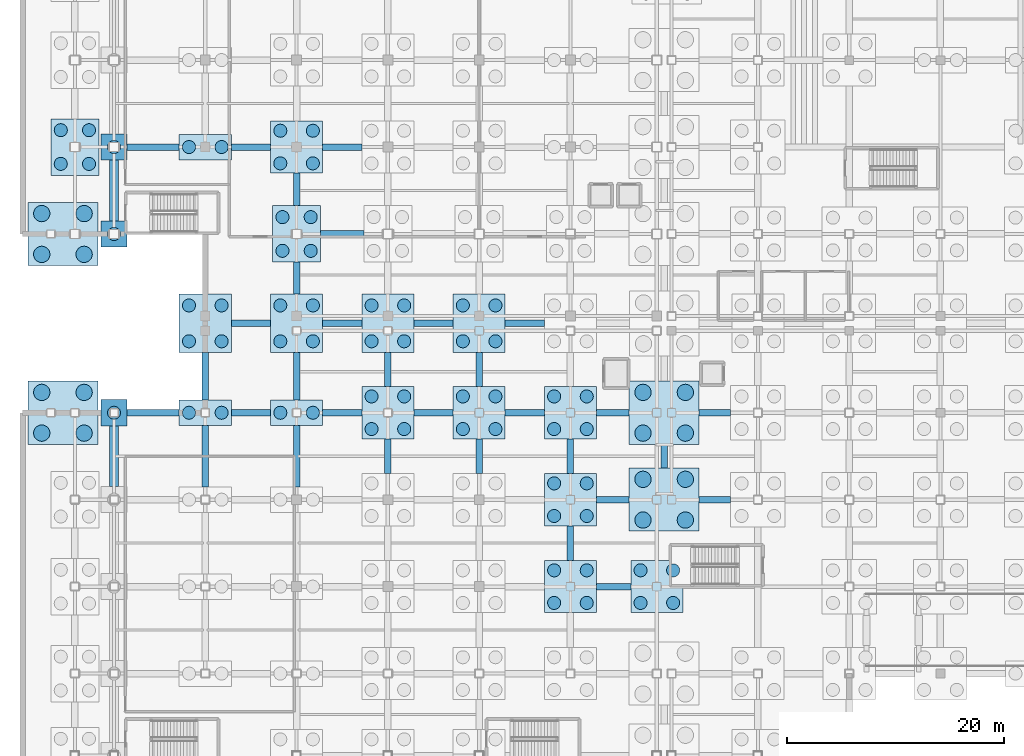
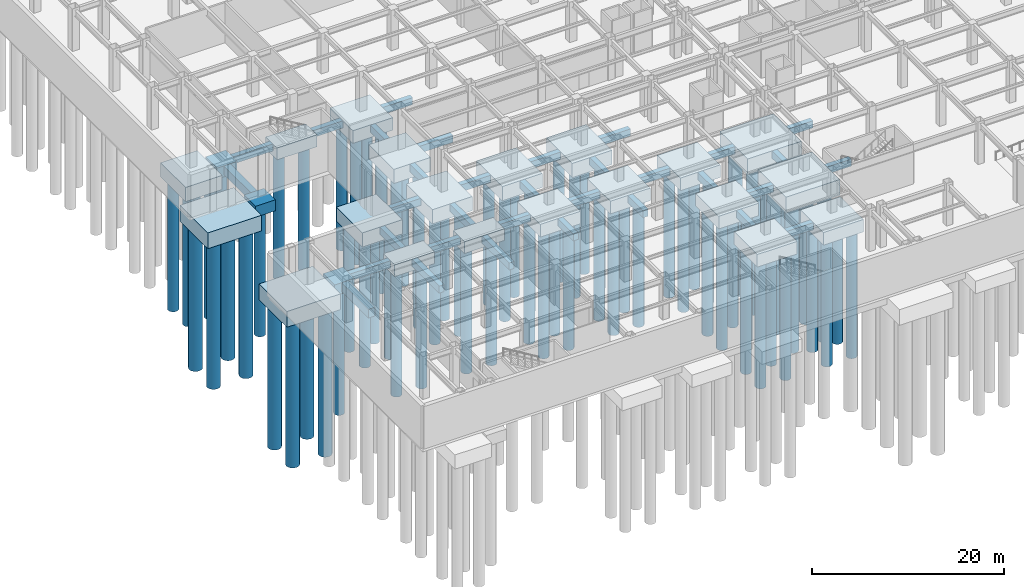
# One storey, part 2 of 55: 77 piles, 56 footings.
"""IFC4 building model written with IfcOpenShell, lengths in metres."""

from ifc_helpers import new_model, si_unit, direction, frame, origin, origin_2d, place, context, subcontext, project, spatial, rectangle, circle, extrude, material, layer, layer_set, material_profile, profile_set, type_object, element, save


model = new_model("IFC4")

# Units and contexts
model_context = context("Model", 3, precision=1e-05, world=origin(), true_north=direction((0.0, 1.0)))
body_context = subcontext(model_context, "Body", "Model", "MODEL_VIEW")
ifc_project = project(units=[si_unit("LENGTHUNIT", "METRE"), si_unit("AREAUNIT", "SQUARE_METRE"), si_unit("VOLUMEUNIT", "CUBIC_METRE"), si_unit("PLANEANGLEUNIT", "RADIAN"), si_unit("MASSUNIT", "GRAM", prefix="KILO")], contexts=[model_context])

# Site, building, storey
site_placement = place(None, origin())
site = spatial("IfcSite", under=ifc_project, at=site_placement, CompositionType="ELEMENT")
building_placement = place(site_placement, origin())
building = spatial("IfcBuilding", under=site, at=building_placement, Name="Kazehara Bluff Congress Hotel", CompositionType="ELEMENT")
storey_placement = place(building_placement, frame((0.0, 0.0, -5.39990234375)))
storey = spatial("IfcBuildingStorey", under=building, at=storey_placement, Name="B1", CompositionType="ELEMENT", Elevation=-5.39990234375)

# Footings
ifc_material_1 = material(Name="Concrete C36/45", Category="concrete")
ifc_material_profile_1 = material_profile(ifc_material_1, rectangle(XDim=0.60009765625, YDim=0.89990234375, at=origin_2d()))
ifc_profile_set_1 = profile_set([ifc_material_profile_1], Name="Concrete C36/45")
footing_type_1 = type_object("IfcFootingType", Name="TP-FB-01", PredefinedType="FOOTING_BEAM", material=ifc_profile_set_1)
footing_1_placement = place(storey_placement, frame((52.800048828125, 16.0, -0.9501953125), z_axis=(1.0, 0.0, 0.0), x_axis=(0.0, 1.0, 0.0)))
element("IfcFooting", 1, at=footing_1_placement, inside=storey, type_object=footing_type_1, Name="Foundation tie beam FB-01 33", PredefinedType="FOOTING_BEAM", context=body_context, shape_type="SweptSolid", body=[
    extrude(rectangle(XDim=0.60009765625, YDim=0.89990234375, at=origin_2d()), origin(), (0.0, 0.0, 1.0), 3.14990234375),
])
footing_2_placement = place(storey_placement, frame((52.800048828125, 24.0, -0.9501953125), z_axis=(1.0, 0.0, 0.0), x_axis=(0.0, 1.0, 0.0)))
element("IfcFooting", 2, at=footing_2_placement, inside=storey, type_object=footing_type_1, Name="Foundation tie beam FB-01 50", PredefinedType="FOOTING_BEAM", context=body_context, shape_type="SweptSolid", body=[
    extrude(rectangle(XDim=0.60009765625, YDim=0.89990234375, at=origin_2d()), origin(), (0.0, 0.0, 1.0), 3.0),
])
footing_3_placement = place(storey_placement, frame((62.25, 24.0, -0.9501953125), z_axis=(1.0, 0.0, 0.0), x_axis=(0.0, 1.0, 0.0)))
element("IfcFooting", 3, at=footing_3_placement, inside=storey, type_object=footing_type_1, Name="Foundation tie beam FB-01 51", PredefinedType="FOOTING_BEAM", context=body_context, shape_type="SweptSolid", body=[
    extrude(rectangle(XDim=0.60009765625, YDim=0.89990234375, at=origin_2d()), origin(), (0.0, 0.0, 1.0), 2.89990234375),
])
footing_4_placement = place(storey_placement, frame((9.60009765625, 32.0, -0.9501953125), z_axis=(1.0, 0.0, 0.0), x_axis=(0.0, 1.0, 0.0)))
element("IfcFooting", 4, at=footing_4_placement, inside=storey, type_object=footing_type_1, Name="Foundation tie beam FB-01 64", PredefinedType="FOOTING_BEAM", context=body_context, shape_type="SweptSolid", body=[
    extrude(rectangle(XDim=0.60009765625, YDim=0.89990234375, at=origin_2d()), origin(), (0.0, 0.0, 1.0), 4.7998046875),
])
footing_5_placement = place(storey_placement, frame((19.199951171875, 32.0, -0.9501953125), z_axis=(1.0, 0.0, 0.0), x_axis=(0.0, 1.0, 0.0)))
element("IfcFooting", 5, at=footing_5_placement, inside=storey, type_object=footing_type_1, Name="Foundation tie beam FB-01 65", PredefinedType="FOOTING_BEAM", context=body_context, shape_type="SweptSolid", body=[
    extrude(rectangle(XDim=0.60009765625, YDim=0.89990234375, at=origin_2d()), origin(), (0.0, 0.0, 1.0), 3.60009765625),
])
footing_6_placement = place(storey_placement, frame((27.60009765625, 32.0, -0.9501953125), z_axis=(1.0, 0.0, 0.0), x_axis=(0.0, 1.0, 0.0)))
element("IfcFooting", 6, at=footing_6_placement, inside=storey, type_object=footing_type_1, Name="Foundation tie beam FB-01 66", PredefinedType="FOOTING_BEAM", context=body_context, shape_type="SweptSolid", body=[
    extrude(rectangle(XDim=0.60009765625, YDim=0.89990234375, at=origin_2d()), origin(), (0.0, 0.0, 1.0), 3.599853515625),
])
for number, where, z_axis, x_axis, name in (
    (7, (36.0, 32.0, -0.9501953125), (1.0, 0.0, 0.0), (0.0, 1.0, 0.0), "Foundation tie beam FB-01 67"),
    (8, (44.39990234375, 32.0, -0.9501953125), (1.0, 0.0, 0.0), (0.0, 1.0, 0.0), "Foundation tie beam FB-01 68"),
):
    element("IfcFooting", number, at=place(storey_placement, frame(where, z_axis=z_axis, x_axis=x_axis)), inside=storey, type_object=footing_type_1, Name=name, PredefinedType="FOOTING_BEAM", context=body_context, shape_type="SweptSolid", body=[
        extrude(rectangle(XDim=0.60009765625, YDim=0.89990234375, at=origin_2d()), origin(), (0.0, 0.0, 1.0), 3.60009765625),
    ])
footing_7_placement = place(storey_placement, frame((52.800048828125, 32.0, -0.9501953125), z_axis=(1.0, 0.0, 0.0), x_axis=(0.0, 1.0, 0.0)))
element("IfcFooting", 9, at=footing_7_placement, inside=storey, type_object=footing_type_1, Name="Foundation tie beam FB-01 69", PredefinedType="FOOTING_BEAM", context=body_context, shape_type="SweptSolid", body=[
    extrude(rectangle(XDim=0.60009765625, YDim=0.89990234375, at=origin_2d()), origin(), (0.0, 0.0, 1.0), 3.0),
])
footing_8_placement = place(storey_placement, frame((62.25, 32.0, -0.9501953125), z_axis=(1.0, 0.0, 0.0), x_axis=(0.0, 1.0, 0.0)))
element("IfcFooting", 10, at=footing_8_placement, inside=storey, type_object=footing_type_1, Name="Foundation tie beam FB-01 70", PredefinedType="FOOTING_BEAM", context=body_context, shape_type="SweptSolid", body=[
    extrude(rectangle(XDim=0.60009765625, YDim=0.89990234375, at=origin_2d()), origin(), (0.0, 0.0, 1.0), 2.89990234375),
])
footing_9_placement = place(storey_placement, frame((19.199951171875, 40.22509765625, -0.9501953125), z_axis=(1.0, 0.0, 0.0), x_axis=(0.0, 1.0, 0.0)))
element("IfcFooting", 11, at=footing_9_placement, inside=storey, type_object=footing_type_1, Name="Foundation tie beam FB-01 83", PredefinedType="FOOTING_BEAM", context=body_context, shape_type="SweptSolid", body=[
    extrude(rectangle(XDim=0.60009765625, YDim=0.89990234375, at=origin_2d()), origin(), (0.0, 0.0, 1.0), 3.60009765625),
])
footing_10_placement = place(storey_placement, frame((27.60009765625, 40.22509765625, -0.9501953125), z_axis=(1.0, 0.0, 0.0), x_axis=(0.0, 1.0, 0.0)))
element("IfcFooting", 12, at=footing_10_placement, inside=storey, type_object=footing_type_1, Name="Foundation tie beam FB-01 84", PredefinedType="FOOTING_BEAM", context=body_context, shape_type="SweptSolid", body=[
    extrude(rectangle(XDim=0.60009765625, YDim=0.89990234375, at=origin_2d()), origin(), (0.0, 0.0, 1.0), 3.599853515625),
])
for number, where, z_axis, x_axis, name in (
    (13, (36.0, 40.22509765625, -0.9501953125), (1.0, 0.0, 0.0), (0.0, 1.0, 0.0), "Foundation tie beam FB-01 85"),
    (14, (44.39990234375, 40.22509765625, -0.9501953125), (1.0, 0.0, 0.0), (0.0, 1.0, 0.0), "Foundation tie beam FB-01 86"),
):
    element("IfcFooting", number, at=place(storey_placement, frame(where, z_axis=z_axis, x_axis=x_axis)), inside=storey, type_object=footing_type_1, Name=name, PredefinedType="FOOTING_BEAM", context=body_context, shape_type="SweptSolid", body=[
        extrude(rectangle(XDim=0.60009765625, YDim=0.89990234375, at=origin_2d()), origin(), (0.0, 0.0, 1.0), 3.60009765625),
    ])
footing_11_placement = place(storey_placement, frame((27.39990234375, 48.449951171875, -0.9501953125), z_axis=(1.0, 0.0, 0.0), x_axis=(0.0, 1.0, 0.0)))
element("IfcFooting", 15, at=footing_11_placement, inside=storey, type_object=footing_type_1, Name="Foundation tie beam FB-01 101", PredefinedType="FOOTING_BEAM", context=body_context, shape_type="SweptSolid", body=[
    extrude(rectangle(XDim=0.60009765625, YDim=0.89990234375, at=origin_2d()), origin(), (0.0, 0.0, 1.0), 4.0),
])
footing_12_placement = place(storey_placement, frame((9.60009765625, 56.449951171875, -0.9501953125), z_axis=(1.0, 0.0, 0.0), x_axis=(0.0, 1.0, 0.0)))
element("IfcFooting", 16, at=footing_12_placement, inside=storey, type_object=footing_type_1, Name="Foundation tie beam FB-01 115", PredefinedType="FOOTING_BEAM", context=body_context, shape_type="SweptSolid", body=[
    extrude(rectangle(XDim=0.60009765625, YDim=0.89990234375, at=origin_2d()), origin(), (0.0, 0.0, 1.0), 4.7998046875),
])
footing_13_placement = place(storey_placement, frame((19.199951171875, 56.449951171875, -0.9501953125), z_axis=(1.0, 0.0, 0.0), x_axis=(0.0, 1.0, 0.0)))
element("IfcFooting", 17, at=footing_13_placement, inside=storey, type_object=footing_type_1, Name="Foundation tie beam FB-01 116", PredefinedType="FOOTING_BEAM", context=body_context, shape_type="SweptSolid", body=[
    extrude(rectangle(XDim=0.60009765625, YDim=0.89990234375, at=origin_2d()), origin(), (0.0, 0.0, 1.0), 3.60009765625),
])
footing_14_placement = place(storey_placement, frame((27.60009765625, 56.449951171875, -0.9501953125), z_axis=(1.0, 0.0, 0.0), x_axis=(0.0, 1.0, 0.0)))
element("IfcFooting", 18, at=footing_14_placement, inside=storey, type_object=footing_type_1, Name="Foundation tie beam FB-01 117", PredefinedType="FOOTING_BEAM", context=body_context, shape_type="SweptSolid", body=[
    extrude(rectangle(XDim=0.60009765625, YDim=0.89990234375, at=origin_2d()), origin(), (0.0, 0.0, 1.0), 3.599853515625),
])
footing_15_placement = place(storey_placement, frame((16.800048828125, 25.175048828125, -0.9501953125), z_axis=(0.0, 1.0, 0.0), x_axis=(-1.0, 0.0, 0.0)))
element("IfcFooting", 19, at=footing_15_placement, inside=storey, type_object=footing_type_1, Name="Foundation tie beam FB-01 274", PredefinedType="FOOTING_BEAM", context=body_context, shape_type="SweptSolid", body=[
    extrude(rectangle(XDim=0.60009765625, YDim=0.89990234375, at=origin_2d()), origin(), (0.0, 0.0, 1.0), 5.64990234375),
])
footing_16_placement = place(storey_placement, frame((16.800048828125, 33.175048828125, -0.9501953125), z_axis=(0.0, 1.0, 0.0), x_axis=(-1.0, 0.0, 0.0)))
element("IfcFooting", 20, at=footing_16_placement, inside=storey, type_object=footing_type_1, Name="Foundation tie beam FB-01 275", PredefinedType="FOOTING_BEAM", context=body_context, shape_type="SweptSolid", body=[
    extrude(rectangle(XDim=0.60009765625, YDim=0.89990234375, at=origin_2d()), origin(), (0.0, 0.0, 1.0), 4.349853515625),
])
footing_17_placement = place(storey_placement, frame((25.199951171875, 25.175048828125, -0.9501953125), z_axis=(0.0, 1.0, 0.0), x_axis=(-1.0, 0.0, 0.0)))
element("IfcFooting", 21, at=footing_17_placement, inside=storey, type_object=footing_type_1, Name="Foundation tie beam FB-01 283", PredefinedType="FOOTING_BEAM", context=body_context, shape_type="SweptSolid", body=[
    extrude(rectangle(XDim=0.60009765625, YDim=0.89990234375, at=origin_2d()), origin(), (0.0, 0.0, 1.0), 5.64990234375),
])
footing_18_placement = place(storey_placement, frame((25.199951171875, 33.175048828125, -0.9501953125), z_axis=(0.0, 1.0, 0.0), x_axis=(-1.0, 0.0, 0.0)))
element("IfcFooting", 22, at=footing_18_placement, inside=storey, type_object=footing_type_1, Name="Foundation tie beam FB-01 284", PredefinedType="FOOTING_BEAM", context=body_context, shape_type="SweptSolid", body=[
    extrude(rectangle(XDim=0.60009765625, YDim=0.89990234375, at=origin_2d()), origin(), (0.0, 0.0, 1.0), 4.349853515625),
])
footing_19_placement = place(storey_placement, frame((25.199951171875, 42.925048828125, -0.9501953125), z_axis=(0.0, 1.0, 0.0), x_axis=(-1.0, 0.0, 0.0)))
element("IfcFooting", 23, at=footing_19_placement, inside=storey, type_object=footing_type_1, Name="Foundation tie beam FB-01 285", PredefinedType="FOOTING_BEAM", context=body_context, shape_type="SweptSolid", body=[
    extrude(rectangle(XDim=0.60009765625, YDim=0.89990234375, at=origin_2d()), origin(), (0.0, 0.0, 1.0), 2.925048828125),
])
footing_20_placement = place(storey_placement, frame((25.199951171875, 51.050048828125, -0.9501953125), z_axis=(0.0, 1.0, 0.0), x_axis=(-1.0, 0.0, 0.0)))
element("IfcFooting", 24, at=footing_20_placement, inside=storey, type_object=footing_type_1, Name="Foundation tie beam FB-01 286", PredefinedType="FOOTING_BEAM", context=body_context, shape_type="SweptSolid", body=[
    extrude(rectangle(XDim=0.60009765625, YDim=0.89990234375, at=origin_2d()), origin(), (0.0, 0.0, 1.0), 3.0),
])
footing_21_placement = place(storey_placement, frame((33.60009765625, 26.39990234375, -0.9501953125), z_axis=(0.0, 1.0, 0.0), x_axis=(-1.0, 0.0, 0.0)))
element("IfcFooting", 25, at=footing_21_placement, inside=storey, type_object=footing_type_1, Name="Foundation tie beam FB-01 297", PredefinedType="FOOTING_BEAM", context=body_context, shape_type="SweptSolid", body=[
    extrude(rectangle(XDim=0.60009765625, YDim=0.89990234375, at=origin_2d()), origin(), (0.0, 0.0, 1.0), 3.2001953125),
])
footing_22_placement = place(storey_placement, frame((33.60009765625, 34.39990234375, -0.9501953125), z_axis=(0.0, 1.0, 0.0), x_axis=(-1.0, 0.0, 0.0)))
element("IfcFooting", 26, at=footing_22_placement, inside=storey, type_object=footing_type_1, Name="Foundation tie beam FB-01 298", PredefinedType="FOOTING_BEAM", context=body_context, shape_type="SweptSolid", body=[
    extrude(rectangle(XDim=0.60009765625, YDim=0.89990234375, at=origin_2d()), origin(), (0.0, 0.0, 1.0), 3.125),
])
footing_23_placement = place(storey_placement, frame((42.0, 26.39990234375, -0.9501953125), z_axis=(0.0, 1.0, 0.0), x_axis=(-1.0, 0.0, 0.0)))
element("IfcFooting", 27, at=footing_23_placement, inside=storey, type_object=footing_type_1, Name="Foundation tie beam FB-01 310", PredefinedType="FOOTING_BEAM", context=body_context, shape_type="SweptSolid", body=[
    extrude(rectangle(XDim=0.60009765625, YDim=0.89990234375, at=origin_2d()), origin(), (0.0, 0.0, 1.0), 3.2001953125),
])
footing_24_placement = place(storey_placement, frame((42.0, 34.39990234375, -0.9501953125), z_axis=(0.0, 1.0, 0.0), x_axis=(-1.0, 0.0, 0.0)))
element("IfcFooting", 28, at=footing_24_placement, inside=storey, type_object=footing_type_1, Name="Foundation tie beam FB-01 311", PredefinedType="FOOTING_BEAM", context=body_context, shape_type="SweptSolid", body=[
    extrude(rectangle(XDim=0.60009765625, YDim=0.89990234375, at=origin_2d()), origin(), (0.0, 0.0, 1.0), 3.125),
])
for number, where, z_axis, x_axis, name in (
    (29, (50.39990234375, 18.39990234375, -0.9501953125), (0.0, 1.0, 0.0), (-1.0, 0.0, 0.0), "Foundation tie beam FB-01 320"),
    (30, (50.39990234375, 26.39990234375, -0.9501953125), (0.0, 1.0, 0.0), (-1.0, 0.0, 0.0), "Foundation tie beam FB-01 321"),
):
    element("IfcFooting", number, at=place(storey_placement, frame(where, z_axis=z_axis, x_axis=x_axis)), inside=storey, type_object=footing_type_1, Name=name, PredefinedType="FOOTING_BEAM", context=body_context, shape_type="SweptSolid", body=[
        extrude(rectangle(XDim=0.60009765625, YDim=0.89990234375, at=origin_2d()), origin(), (0.0, 0.0, 1.0), 3.2001953125),
    ])
footing_25_placement = place(storey_placement, frame((59.02490234375, 26.89990234375, -0.9501953125), z_axis=(0.0, 1.0, 0.0), x_axis=(-1.0, 0.0, 0.0)))
element("IfcFooting", 31, at=footing_25_placement, inside=storey, type_object=footing_type_1, Name="Foundation tie beam FB-01 330", PredefinedType="FOOTING_BEAM", context=body_context, shape_type="SweptSolid", body=[
    extrude(rectangle(XDim=0.60009765625, YDim=0.89990234375, at=origin_2d()), origin(), (0.0, 0.0, 1.0), 2.2001953125),
])
ifc_material_2 = material(Name="Concrete C36/45", Category="concrete")
ifc_material_profile_2 = material_profile(ifc_material_2, rectangle(XDim=0.800048828125, YDim=1.10009765625, at=origin_2d()))
ifc_profile_set_2 = profile_set([ifc_material_profile_2], Name="Concrete C36/45")
footing_type_2 = type_object("IfcFootingType", Name="TP-FB-03", PredefinedType="FOOTING_BEAM", material=ifc_profile_set_2)
for number, where, z_axis, x_axis, name in (
    (32, (8.39990234375, 25.199951171875, -1.050048828125), (0.0, 1.0, 0.0), (-1.0, 0.0, 0.0), "Foundation tie beam FB-03 262"),
    (33, (8.39990234375, 49.64990234375, -1.050048828125), (0.0, 1.0, 0.0), (-1.0, 0.0, 0.0), "Foundation tie beam FB-03 263"),
):
    element("IfcFooting", number, at=place(storey_placement, frame(where, z_axis=z_axis, x_axis=x_axis)), inside=storey, type_object=footing_type_2, Name=name, PredefinedType="FOOTING_BEAM", context=body_context, shape_type="SweptSolid", body=[
        extrude(rectangle(XDim=0.800048828125, YDim=1.10009765625, at=origin_2d()), origin(), (0.0, 0.0, 1.0), 5.60009765625),
    ])
ifc_material_3 = material(Name="Concrete C36/45", Category="concrete")
ifc_layer_1 = layer(ifc_material_3, 1.39990234375)
ifc_layer_set_1 = layer_set([ifc_layer_1], Name="Concrete C36/45")
footing_type_3 = type_object("IfcFootingType", Name="TP-PC-01", PredefinedType="PILE_CAP", material=ifc_layer_set_1)
for number, where, z_axis, x_axis, name in (
    (34, (8.39990234375, 32.0, -1.900146484375), (0.0, 0.0, 1.0), (1.0, 0.0, 0.0), "Pile cap PC-01 20"),
    (35, (8.39990234375, 48.449951171875, -1.900146484375), (0.0, 0.0, 1.0), (1.0, 0.0, 0.0), "Pile cap PC-01 21"),
    (36, (8.39990234375, 56.449951171875, -1.900146484375), (0.0, 0.0, 1.0), (1.0, 0.0, 0.0), "Pile cap PC-01 22"),
):
    element("IfcFooting", number, at=place(storey_placement, frame(where, z_axis=z_axis, x_axis=x_axis)), inside=storey, type_object=footing_type_3, Name=name, PredefinedType="PILE_CAP", context=body_context, shape_type="SweptSolid", body=[
        extrude(rectangle(XDim=2.39990234375, YDim=2.39990234375, at=origin_2d()), origin(), (0.0, 0.0, 1.0), 1.39990234375),
    ])
ifc_material_4 = material(Name="Concrete C36/45", Category="concrete")
ifc_layer_2 = layer(ifc_material_4, 1.5)
ifc_layer_set_2 = layer_set([ifc_layer_2], Name="Concrete C36/45")
footing_type_4 = type_object("IfcFootingType", Name="TP-PC-02", PredefinedType="PILE_CAP", material=ifc_layer_set_2)
for number, where, z_axis, x_axis, name in (
    (37, (16.800048828125, 32.0, -2.0), (0.0, 0.0, 1.0), (1.0, 0.0, 0.0), "Pile cap PC-02 34"),
    (38, (16.800048828125, 56.449951171875, -2.0), (0.0, 0.0, 1.0), (1.0, 0.0, 0.0), "Pile cap PC-02 36"),
    (39, (25.199951171875, 32.0, -2.0), (0.0, 0.0, 1.0), (1.0, 0.0, 0.0), "Pile cap PC-02 46"),
):
    element("IfcFooting", number, at=place(storey_placement, frame(where, z_axis=z_axis, x_axis=x_axis)), inside=storey, type_object=footing_type_4, Name=name, PredefinedType="PILE_CAP", context=body_context, shape_type="SweptSolid", body=[
        extrude(rectangle(XDim=4.800048828125, YDim=2.35009765625, at=origin_2d()), origin(), (0.0, 0.0, 1.0), 1.5),
    ])
ifc_material_5 = material(Name="Concrete C36/45", Category="concrete")
ifc_layer_3 = layer(ifc_material_5, 1.60009765625)
ifc_layer_set_3 = layer_set([ifc_layer_3], Name="Concrete C36/45")
footing_type_5 = type_object("IfcFootingType", Name="TP-PC-04", PredefinedType="PILE_CAP", material=ifc_layer_set_3)
for number, where, z_axis, x_axis, name in (
    (40, (25.199951171875, 56.449951171875, -2.10009765625), (0.0, 0.0, 1.0), (1.0, 0.0, 0.0), "Pile cap PC-04 49"),
    (41, (33.60009765625, 32.0, -2.10009765625), (0.0, 0.0, 1.0), (1.0, 0.0, 0.0), "Pile cap PC-04 61"),
    (42, (42.0, 32.0, -2.10009765625), (0.0, 0.0, 1.0), (1.0, 0.0, 0.0), "Pile cap PC-04 76"),
    (43, (50.39990234375, 16.0, -2.10009765625), (0.0, 0.0, 1.0), (1.0, 0.0, 0.0), "Pile cap PC-04 88"),
    (44, (50.39990234375, 24.0, -2.10009765625), (0.0, 0.0, 1.0), (1.0, 0.0, 0.0), "Pile cap PC-04 89"),
    (45, (50.39990234375, 32.0, -2.10009765625), (0.0, 0.0, 1.0), (1.0, 0.0, 0.0), "Pile cap PC-04 90"),
    (46, (58.35009765625, 16.0, -2.10009765625), (0.0, 0.0, 1.0), (1.0, 0.0, 0.0), "Pile cap PC-04 101"),
):
    element("IfcFooting", number, at=place(storey_placement, frame(where, z_axis=z_axis, x_axis=x_axis)), inside=storey, type_object=footing_type_5, Name=name, PredefinedType="PILE_CAP", context=body_context, shape_type="SweptSolid", body=[
        extrude(rectangle(XDim=4.800048828125, YDim=4.800048828125, at=origin_2d()), origin(), (0.0, 0.0, 1.0), 1.60009765625),
    ])
ifc_material_6 = material(Name="Concrete C36/45", Category="concrete")
ifc_layer_4 = layer(ifc_material_6, 1.800048828125)
ifc_layer_set_4 = layer_set([ifc_layer_4], Name="Concrete C36/45")
footing_type_6 = type_object("IfcFootingType", Name="TP-PC-06", PredefinedType="PILE_CAP", material=ifc_layer_set_4)
for number, where, z_axis, x_axis, name in (
    (47, (4.800048828125, 56.449951171875, -2.30029296875), (0.0, 0.0, 1.0), (1.0, 0.0, 0.0), "Pile cap PC-06 7"),
    (48, (25.199951171875, 48.449951171875, -2.30029296875), (0.0, 0.0, 1.0), (1.0, 0.0, 0.0), "Pile cap PC-06 48"),
):
    element("IfcFooting", number, at=place(storey_placement, frame(where, z_axis=z_axis, x_axis=x_axis)), inside=storey, type_object=footing_type_6, Name=name, PredefinedType="PILE_CAP", context=body_context, shape_type="SweptSolid", body=[
        extrude(rectangle(XDim=4.39990234375, YDim=5.199951171875, at=origin_2d()), origin(), (0.0, 0.0, 1.0), 1.800048828125),
    ])
ifc_material_7 = material(Name="Concrete C36/45", Category="concrete")
ifc_layer_5 = layer(ifc_material_7, 1.800048828125)
ifc_layer_set_5 = layer_set([ifc_layer_5], Name="Concrete C36/45")
footing_type_7 = type_object("IfcFootingType", Name="TP-PC-08", PredefinedType="PILE_CAP", material=ifc_layer_set_5)
for number, where, z_axis, x_axis, name in (
    (49, (16.800048828125, 40.22509765625, -2.30029296875), (0.0, 0.0, 1.0), (1.0, 0.0, 0.0), "Pile cap PC-08 35"),
    (50, (25.199951171875, 40.22509765625, -2.30029296875), (0.0, 0.0, 1.0), (1.0, 0.0, 0.0), "Pile cap PC-08 47"),
    (51, (33.60009765625, 40.22509765625, -2.30029296875), (0.0, 0.0, 1.0), (1.0, 0.0, 0.0), "Pile cap PC-08 62"),
    (52, (42.0, 40.22509765625, -2.30029296875), (0.0, 0.0, 1.0), (1.0, 0.0, 0.0), "Pile cap PC-08 77"),
):
    element("IfcFooting", number, at=place(storey_placement, frame(where, z_axis=z_axis, x_axis=x_axis)), inside=storey, type_object=footing_type_7, Name=name, PredefinedType="PILE_CAP", context=body_context, shape_type="SweptSolid", body=[
        extrude(rectangle(XDim=4.800048828125, YDim=5.39990234375, at=origin_2d()), origin(), (0.0, 0.0, 1.0), 1.800048828125),
    ])
ifc_material_8 = material(Name="Concrete C36/45", Category="concrete")
ifc_layer_6 = layer(ifc_material_8, 2.0)
ifc_layer_set_6 = layer_set([ifc_layer_6], Name="Concrete C36/45")
footing_type_8 = type_object("IfcFootingType", Name="TP-PC-11", PredefinedType="PILE_CAP", material=ifc_layer_set_6)
for number, where, z_axis, x_axis, name in (
    (53, (3.699951171875, 32.0, -2.5), (0.0, 0.0, 1.0), (1.0, 0.0, 0.0), "Pile cap PC-11 1"),
    (54, (3.699951171875, 48.449951171875, -2.5), (0.0, 0.0, 1.0), (1.0, 0.0, 0.0), "Pile cap PC-11 2"),
    (55, (59.02490234375, 24.0, -2.5), (0.0, 0.0, 1.0), (1.0, 0.0, 0.0), "Pile cap PC-11 102"),
    (56, (59.02490234375, 32.0, -2.5), (0.0, 0.0, 1.0), (1.0, 0.0, 0.0), "Pile cap PC-11 103"),
):
    element("IfcFooting", number, at=place(storey_placement, frame(where, z_axis=z_axis, x_axis=x_axis)), inside=storey, type_object=footing_type_8, Name=name, PredefinedType="PILE_CAP", context=body_context, shape_type="SweptSolid", body=[
        extrude(rectangle(XDim=6.449951171875, YDim=5.800048828125, at=origin_2d()), origin(), (0.0, 0.0, 1.0), 2.0),
    ])

# Piles
ifc_material_9 = material(Name="Concrete C36/45", Category="concrete")
ifc_material_profile_3 = material_profile(ifc_material_9, circle(Radius=0.60009765625, at=origin_2d()))
ifc_profile_set_3 = profile_set([ifc_material_profile_3], Name="Concrete C36/45")
pile_type_1 = type_object("IfcPileType", Name="TP-PILE-1200", PredefinedType="BORED", material=ifc_profile_set_3)
for number, where, z_axis, x_axis, name in (
    (57, (3.5, 54.89990234375, -2.2001953125), (0.0, 0.0, -1.0), (1.0, 0.0, 0.0), "Bored pile FND-PC-007-P1"),
    (58, (6.10009765625, 54.89990234375, -2.2001953125), (0.0, 0.0, -1.0), (1.0, 0.0, 0.0), "Bored pile FND-PC-007-P2"),
    (59, (3.5, 58.0, -2.2001953125), (0.0, 0.0, -1.0), (1.0, 0.0, 0.0), "Bored pile FND-PC-007-P3"),
    (60, (6.10009765625, 58.0, -2.2001953125), (0.0, 0.0, -1.0), (1.0, 0.0, 0.0), "Bored pile FND-PC-007-P4"),
):
    element("IfcPile", number, at=place(storey_placement, frame(where, z_axis=z_axis, x_axis=x_axis)), inside=storey, type_object=pile_type_1, Name=name, PredefinedType="BORED", context=body_context, shape_type="SweptSolid", body=[
        extrude(circle(Radius=0.60009765625, at=origin_2d()), origin(), (0.0, 0.0, 1.0), 16.5),
    ])
for number, where, z_axis, x_axis, name in (
    (61, (8.39990234375, 32.0, -1.800048828125), (0.0, 0.0, -1.0), (1.0, 0.0, 0.0), "Bored pile FND-PC-020-P1"),
    (62, (8.39990234375, 48.449951171875, -1.800048828125), (0.0, 0.0, -1.0), (1.0, 0.0, 0.0), "Bored pile FND-PC-021-P1"),
    (63, (8.39990234375, 56.449951171875, -1.800048828125), (0.0, 0.0, -1.0), (1.0, 0.0, 0.0), "Bored pile FND-PC-022-P1"),
    (64, (15.300048828125, 32.0, -1.900146484375), (0.0, 0.0, -1.0), (1.0, 0.0, 0.0), "Bored pile FND-PC-034-P1"),
    (65, (18.300048828125, 32.0, -1.900146484375), (0.0, 0.0, -1.0), (1.0, 0.0, 0.0), "Bored pile FND-PC-034-P2"),
    (66, (15.300048828125, 38.574951171875, -2.2001953125), (0.0, 0.0, -1.0), (1.0, 0.0, 0.0), "Bored pile FND-PC-035-P1"),
    (67, (18.300048828125, 38.574951171875, -2.2001953125), (0.0, 0.0, -1.0), (1.0, 0.0, 0.0), "Bored pile FND-PC-035-P2"),
    (68, (15.300048828125, 41.875, -2.2001953125), (0.0, 0.0, -1.0), (1.0, 0.0, 0.0), "Bored pile FND-PC-035-P3"),
    (69, (18.300048828125, 41.875, -2.2001953125), (0.0, 0.0, -1.0), (1.0, 0.0, 0.0), "Bored pile FND-PC-035-P4"),
    (70, (15.300048828125, 56.449951171875, -1.900146484375), (0.0, 0.0, -1.0), (1.0, 0.0, 0.0), "Bored pile FND-PC-036-P1"),
    (71, (18.300048828125, 56.449951171875, -1.900146484375), (0.0, 0.0, -1.0), (1.0, 0.0, 0.0), "Bored pile FND-PC-036-P2"),
    (72, (23.699951171875, 32.0, -1.900146484375), (0.0, 0.0, -1.0), (1.0, 0.0, 0.0), "Bored pile FND-PC-046-P1"),
    (73, (26.699951171875, 32.0, -1.900146484375), (0.0, 0.0, -1.0), (1.0, 0.0, 0.0), "Bored pile FND-PC-046-P2"),
    (74, (23.699951171875, 38.574951171875, -2.2001953125), (0.0, 0.0, -1.0), (1.0, 0.0, 0.0), "Bored pile FND-PC-047-P1"),
    (75, (26.699951171875, 38.574951171875, -2.2001953125), (0.0, 0.0, -1.0), (1.0, 0.0, 0.0), "Bored pile FND-PC-047-P2"),
    (76, (23.699951171875, 41.875, -2.2001953125), (0.0, 0.0, -1.0), (1.0, 0.0, 0.0), "Bored pile FND-PC-047-P3"),
    (77, (26.699951171875, 41.875, -2.2001953125), (0.0, 0.0, -1.0), (1.0, 0.0, 0.0), "Bored pile FND-PC-047-P4"),
):
    element("IfcPile", number, at=place(storey_placement, frame(where, z_axis=z_axis, x_axis=x_axis)), inside=storey, type_object=pile_type_1, Name=name, PredefinedType="BORED", context=body_context, shape_type="SweptSolid", body=[
        extrude(circle(Radius=0.60009765625, at=origin_2d()), origin(), (0.0, 0.0, 1.0), 16.0),
    ])
for number, where, z_axis, x_axis, name in (
    (78, (23.89990234375, 46.89990234375, -2.2001953125), (0.0, 0.0, -1.0), (1.0, 0.0, 0.0), "Bored pile FND-PC-048-P1"),
    (79, (26.5, 46.89990234375, -2.2001953125), (0.0, 0.0, -1.0), (1.0, 0.0, 0.0), "Bored pile FND-PC-048-P2"),
    (80, (23.89990234375, 50.0, -2.2001953125), (0.0, 0.0, -1.0), (1.0, 0.0, 0.0), "Bored pile FND-PC-048-P3"),
    (81, (26.5, 50.0, -2.2001953125), (0.0, 0.0, -1.0), (1.0, 0.0, 0.0), "Bored pile FND-PC-048-P4"),
):
    element("IfcPile", number, at=place(storey_placement, frame(where, z_axis=z_axis, x_axis=x_axis)), inside=storey, type_object=pile_type_1, Name=name, PredefinedType="BORED", context=body_context, shape_type="SweptSolid", body=[
        extrude(circle(Radius=0.60009765625, at=origin_2d()), origin(), (0.0, 0.0, 1.0), 16.5),
    ])
for number, where, z_axis, x_axis, name in (
    (82, (23.699951171875, 54.949951171875, -2.0), (0.0, 0.0, -1.0), (1.0, 0.0, 0.0), "Bored pile FND-PC-049-P1"),
    (83, (26.699951171875, 54.949951171875, -2.0), (0.0, 0.0, -1.0), (1.0, 0.0, 0.0), "Bored pile FND-PC-049-P2"),
    (84, (23.699951171875, 57.949951171875, -2.0), (0.0, 0.0, -1.0), (1.0, 0.0, 0.0), "Bored pile FND-PC-049-P3"),
    (85, (26.699951171875, 57.949951171875, -2.0), (0.0, 0.0, -1.0), (1.0, 0.0, 0.0), "Bored pile FND-PC-049-P4"),
    (86, (32.10009765625, 30.5, -2.0), (0.0, 0.0, -1.0), (1.0, 0.0, 0.0), "Bored pile FND-PC-061-P1"),
    (87, (35.10009765625, 30.5, -2.0), (0.0, 0.0, -1.0), (1.0, 0.0, 0.0), "Bored pile FND-PC-061-P2"),
    (88, (32.10009765625, 33.5, -2.0), (0.0, 0.0, -1.0), (1.0, 0.0, 0.0), "Bored pile FND-PC-061-P3"),
    (89, (35.10009765625, 33.5, -2.0), (0.0, 0.0, -1.0), (1.0, 0.0, 0.0), "Bored pile FND-PC-061-P4"),
    (90, (32.10009765625, 38.574951171875, -2.2001953125), (0.0, 0.0, -1.0), (1.0, 0.0, 0.0), "Bored pile FND-PC-062-P1"),
    (91, (35.10009765625, 38.574951171875, -2.2001953125), (0.0, 0.0, -1.0), (1.0, 0.0, 0.0), "Bored pile FND-PC-062-P2"),
    (92, (32.10009765625, 41.875, -2.2001953125), (0.0, 0.0, -1.0), (1.0, 0.0, 0.0), "Bored pile FND-PC-062-P3"),
    (93, (35.10009765625, 41.875, -2.2001953125), (0.0, 0.0, -1.0), (1.0, 0.0, 0.0), "Bored pile FND-PC-062-P4"),
    (94, (40.5, 30.5, -2.0), (0.0, 0.0, -1.0), (1.0, 0.0, 0.0), "Bored pile FND-PC-076-P1"),
    (95, (43.5, 30.5, -2.0), (0.0, 0.0, -1.0), (1.0, 0.0, 0.0), "Bored pile FND-PC-076-P2"),
    (96, (40.5, 33.5, -2.0), (0.0, 0.0, -1.0), (1.0, 0.0, 0.0), "Bored pile FND-PC-076-P3"),
    (97, (43.5, 33.5, -2.0), (0.0, 0.0, -1.0), (1.0, 0.0, 0.0), "Bored pile FND-PC-076-P4"),
    (98, (40.5, 38.574951171875, -2.2001953125), (0.0, 0.0, -1.0), (1.0, 0.0, 0.0), "Bored pile FND-PC-077-P1"),
    (99, (43.5, 38.574951171875, -2.2001953125), (0.0, 0.0, -1.0), (1.0, 0.0, 0.0), "Bored pile FND-PC-077-P2"),
    (100, (40.5, 41.875, -2.2001953125), (0.0, 0.0, -1.0), (1.0, 0.0, 0.0), "Bored pile FND-PC-077-P3"),
    (101, (43.5, 41.875, -2.2001953125), (0.0, 0.0, -1.0), (1.0, 0.0, 0.0), "Bored pile FND-PC-077-P4"),
    (102, (48.89990234375, 14.5, -2.0), (0.0, 0.0, -1.0), (1.0, 0.0, 0.0), "Bored pile FND-PC-088-P1"),
    (103, (51.89990234375, 14.5, -2.0), (0.0, 0.0, -1.0), (1.0, 0.0, 0.0), "Bored pile FND-PC-088-P2"),
    (104, (48.89990234375, 17.5, -2.0), (0.0, 0.0, -1.0), (1.0, 0.0, 0.0), "Bored pile FND-PC-088-P3"),
    (105, (51.89990234375, 17.5, -2.0), (0.0, 0.0, -1.0), (1.0, 0.0, 0.0), "Bored pile FND-PC-088-P4"),
    (106, (48.89990234375, 22.5, -2.0), (0.0, 0.0, -1.0), (1.0, 0.0, 0.0), "Bored pile FND-PC-089-P1"),
    (107, (51.89990234375, 22.5, -2.0), (0.0, 0.0, -1.0), (1.0, 0.0, 0.0), "Bored pile FND-PC-089-P2"),
    (108, (48.89990234375, 25.5, -2.0), (0.0, 0.0, -1.0), (1.0, 0.0, 0.0), "Bored pile FND-PC-089-P3"),
    (109, (51.89990234375, 25.5, -2.0), (0.0, 0.0, -1.0), (1.0, 0.0, 0.0), "Bored pile FND-PC-089-P4"),
    (110, (48.89990234375, 30.5, -2.0), (0.0, 0.0, -1.0), (1.0, 0.0, 0.0), "Bored pile FND-PC-090-P1"),
    (111, (51.89990234375, 30.5, -2.0), (0.0, 0.0, -1.0), (1.0, 0.0, 0.0), "Bored pile FND-PC-090-P2"),
    (112, (48.89990234375, 33.5, -2.0), (0.0, 0.0, -1.0), (1.0, 0.0, 0.0), "Bored pile FND-PC-090-P3"),
    (113, (51.89990234375, 33.5, -2.0), (0.0, 0.0, -1.0), (1.0, 0.0, 0.0), "Bored pile FND-PC-090-P4"),
    (114, (56.85009765625, 14.5, -2.0), (0.0, 0.0, -1.0), (1.0, 0.0, 0.0), "Bored pile FND-PC-101-P1"),
    (115, (59.85009765625, 14.5, -2.0), (0.0, 0.0, -1.0), (1.0, 0.0, 0.0), "Bored pile FND-PC-101-P2"),
    (116, (56.85009765625, 17.5, -2.0), (0.0, 0.0, -1.0), (1.0, 0.0, 0.0), "Bored pile FND-PC-101-P3"),
    (117, (59.85009765625, 17.5, -2.0), (0.0, 0.0, -1.0), (1.0, 0.0, 0.0), "Bored pile FND-PC-101-P4"),
):
    element("IfcPile", number, at=place(storey_placement, frame(where, z_axis=z_axis, x_axis=x_axis)), inside=storey, type_object=pile_type_1, Name=name, PredefinedType="BORED", context=body_context, shape_type="SweptSolid", body=[
        extrude(circle(Radius=0.60009765625, at=origin_2d()), origin(), (0.0, 0.0, 1.0), 16.0),
    ])
ifc_material_10 = material(Name="Concrete C36/45", Category="concrete")
ifc_material_profile_4 = material_profile(ifc_material_10, circle(Radius=0.75, at=origin_2d()))
ifc_profile_set_4 = profile_set([ifc_material_profile_4], Name="Concrete C36/45")
pile_type_2 = type_object("IfcPileType", Name="TP-PILE-1500", PredefinedType="BORED", material=ifc_profile_set_4)
for number, where, z_axis, x_axis, name in (
    (118, (1.75, 30.125, -2.400146484375), (0.0, 0.0, -1.0), (1.0, 0.0, 0.0), "Bored pile FND-PC-001-P1"),
    (119, (5.64990234375, 30.125, -2.400146484375), (0.0, 0.0, -1.0), (1.0, 0.0, 0.0), "Bored pile FND-PC-001-P2"),
    (120, (1.75, 33.875, -2.400146484375), (0.0, 0.0, -1.0), (1.0, 0.0, 0.0), "Bored pile FND-PC-001-P3"),
    (121, (5.64990234375, 33.875, -2.400146484375), (0.0, 0.0, -1.0), (1.0, 0.0, 0.0), "Bored pile FND-PC-001-P4"),
    (122, (1.75, 46.574951171875, -2.400146484375), (0.0, 0.0, -1.0), (1.0, 0.0, 0.0), "Bored pile FND-PC-002-P1"),
    (123, (5.64990234375, 46.574951171875, -2.400146484375), (0.0, 0.0, -1.0), (1.0, 0.0, 0.0), "Bored pile FND-PC-002-P2"),
    (124, (1.75, 50.324951171875, -2.400146484375), (0.0, 0.0, -1.0), (1.0, 0.0, 0.0), "Bored pile FND-PC-002-P3"),
    (125, (5.64990234375, 50.324951171875, -2.400146484375), (0.0, 0.0, -1.0), (1.0, 0.0, 0.0), "Bored pile FND-PC-002-P4"),
    (126, (57.074951171875, 22.125, -2.400146484375), (0.0, 0.0, -1.0), (1.0, 0.0, 0.0), "Bored pile FND-PC-102-P1"),
    (127, (60.97509765625, 22.125, -2.400146484375), (0.0, 0.0, -1.0), (1.0, 0.0, 0.0), "Bored pile FND-PC-102-P2"),
    (128, (57.074951171875, 25.875, -2.400146484375), (0.0, 0.0, -1.0), (1.0, 0.0, 0.0), "Bored pile FND-PC-102-P3"),
    (129, (60.97509765625, 25.875, -2.400146484375), (0.0, 0.0, -1.0), (1.0, 0.0, 0.0), "Bored pile FND-PC-102-P4"),
    (130, (57.074951171875, 30.125, -2.400146484375), (0.0, 0.0, -1.0), (1.0, 0.0, 0.0), "Bored pile FND-PC-103-P1"),
    (131, (60.97509765625, 30.125, -2.400146484375), (0.0, 0.0, -1.0), (1.0, 0.0, 0.0), "Bored pile FND-PC-103-P2"),
    (132, (57.074951171875, 33.875, -2.400146484375), (0.0, 0.0, -1.0), (1.0, 0.0, 0.0), "Bored pile FND-PC-103-P3"),
    (133, (60.97509765625, 33.875, -2.400146484375), (0.0, 0.0, -1.0), (1.0, 0.0, 0.0), "Bored pile FND-PC-103-P4"),
):
    element("IfcPile", number, at=place(storey_placement, frame(where, z_axis=z_axis, x_axis=x_axis)), inside=storey, type_object=pile_type_2, Name=name, PredefinedType="BORED", context=body_context, shape_type="SweptSolid", body=[
        extrude(circle(Radius=0.75, at=origin_2d()), origin(), (0.0, 0.0, 1.0), 18.5),
    ])

save(model, "model.ifc")
